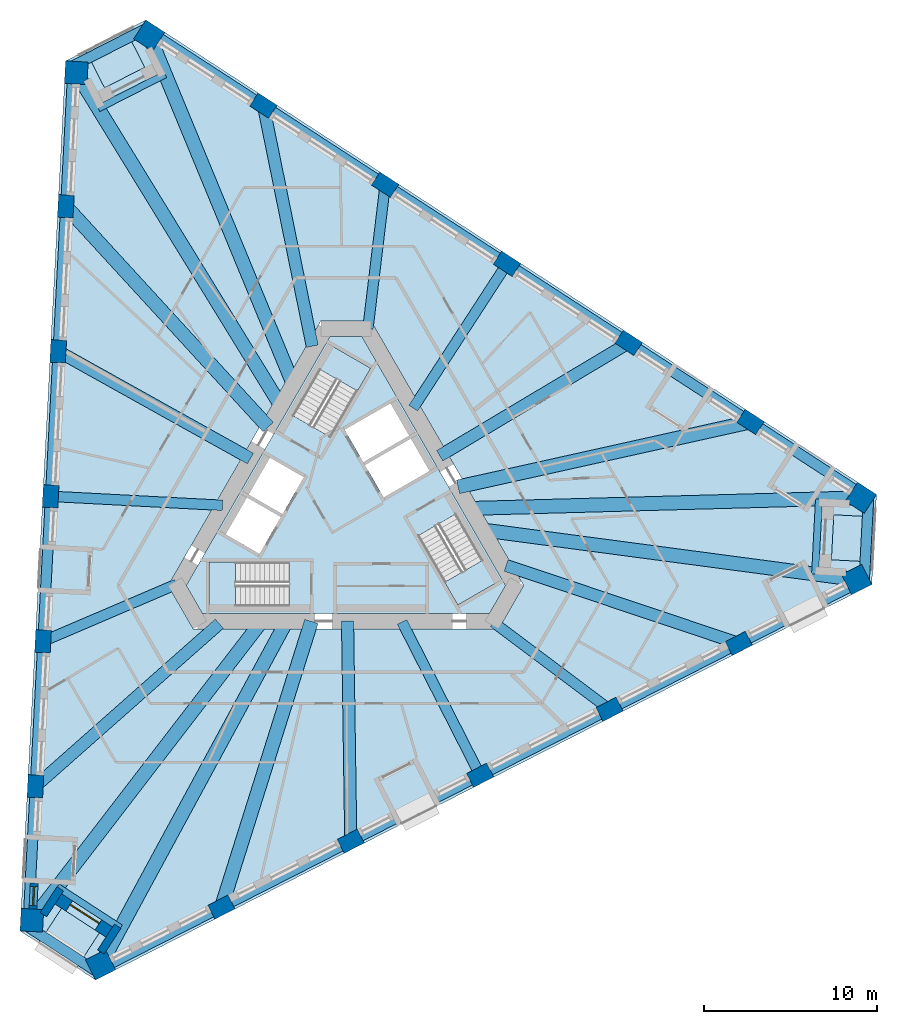
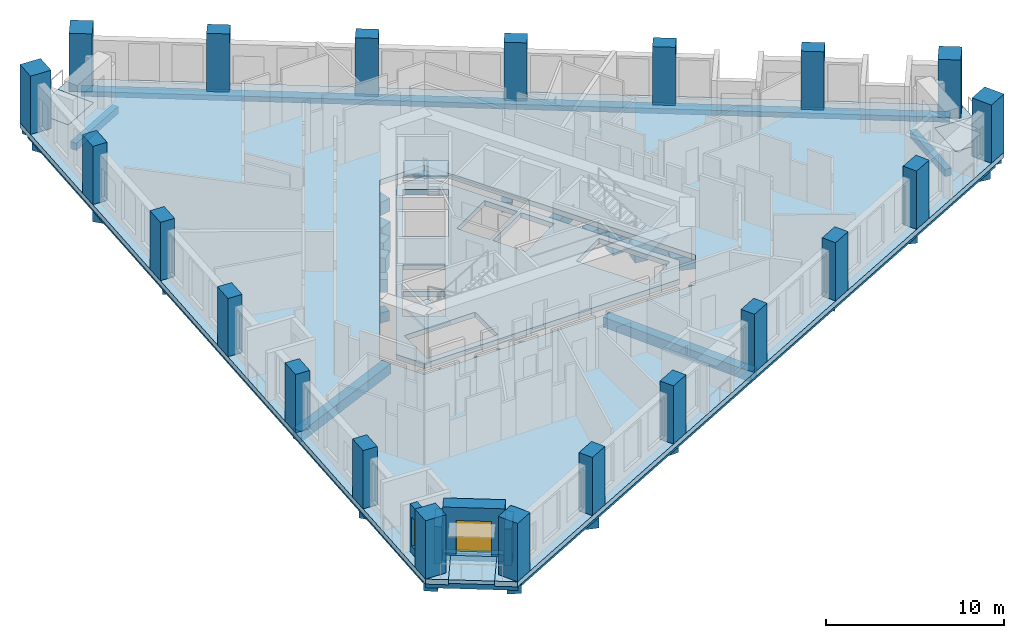
# One storey, part 1 of 13: 30 beams, 21 columns, 8 slabs, 4 walls, 1 door, 1 window, 2 openings, 3 elements without a shape of their own.
"""IFC4 building model written with IfcOpenShell, lengths in metres."""

from ifc_helpers import new_model, si_unit, direction, frame, frame_2d, origin, origin_2d, place, context, subcontext, project, spatial, polyline, rectangle, outline, extrude, material, layer, layer_set, material_profile, profile_set, type_object, element, fill, aggregate, save


model = new_model("IFC4")

# Units and contexts
model_context = context("Model", 3, precision=1e-05, world=origin(), true_north=direction((0.0, 1.0)))
body_context = subcontext(model_context, "Body", "Model", "MODEL_VIEW")
ifc_project = project(units=[si_unit("LENGTHUNIT", "METRE"), si_unit("AREAUNIT", "SQUARE_METRE"), si_unit("VOLUMEUNIT", "CUBIC_METRE"), si_unit("PLANEANGLEUNIT", "RADIAN"), si_unit("MASSUNIT", "GRAM", prefix="KILO")], contexts=[model_context])

# Site, building, storey
site_placement = place(None, origin())
site = spatial("IfcSite", under=ifc_project, at=site_placement, CompositionType="ELEMENT")
building_placement = place(site_placement, origin())
building = spatial("IfcBuilding", under=site, at=building_placement, Name="Tramontana Tower", CompositionType="ELEMENT")
storey_placement = place(building_placement, frame((0.0, 0.0, 153.60009765625)))
storey = spatial("IfcBuildingStorey", under=building, at=storey_placement, Name="L35", CompositionType="ELEMENT", Elevation=153.60009765625)

# Columns
ifc_material_1 = material(Name="Concrete 70 MPa", Category="concrete")
ifc_material_profile_1 = material_profile(ifc_material_1, rectangle(XDim=1.300048828125, YDim=1.300048828125, at=origin_2d()), Name="Mega column 1300X1300 70 MPa")
ifc_profile_set_1 = profile_set([ifc_material_profile_1], Name="Concrete 70 MPa")
column_type_1 = type_object("IfcColumnType", Name="Mega column 1300X1300 70 MPa", PredefinedType="COLUMN", material=ifc_profile_set_1)
for number, where, z_axis, x_axis, name in (
    (1, (-15.546630859375, 25.31298828125, 0.0), (0.0, 0.0, 1.0), (-0.052335956243, -0.998629534755, 0.0), "Mega column C3K1 L35"),
    (2, (-18.107177734375, -23.54931640625, 0.0), (0.0, 0.0, 1.0), (-0.052335956243, -0.998629534755, 0.0), "Mega column C3K2 L35"),
    (3, (-14.1484375, -26.1201171875, 0.0), (0.0, 0.0, 1.0), (0.891006524188, 0.45399049974, 0.0), "Mega column C3K3 L35"),
    (4, (29.447998046875, -3.90673828125, 0.0), (0.0, 0.0, 1.0), (0.891006524188, 0.45399049974, 0.0), "Mega column C3K4 L35"),
    (5, (29.695068359375, 0.80712890625, 0.0), (0.0, 0.0, 1.0), (-0.838670567945, 0.544639035015, 0.0), "Mega column C3K5 L35"),
    (6, (-11.340576171875, 27.4560546875, 0.0), (0.0, 0.0, 1.0), (-0.838670567945, 0.544639035015, 0.0), "Mega column C3K6 L35"),
):
    element("IfcColumn", number, at=place(storey_placement, frame(where, z_axis=z_axis, x_axis=x_axis)), inside=storey, type_object=column_type_1, Name=name, PredefinedType="COLUMN", context=body_context, shape_type="SweptSolid", body=[
        extrude(rectangle(XDim=1.300048828125, YDim=1.300048828125, at=origin_2d()), origin(), (0.0, 0.0, 1.0), 4.0),
    ])
ifc_material_2 = material(Name="Concrete 55 MPa", Category="concrete")
ifc_material_profile_2 = material_profile(ifc_material_2, rectangle(XDim=1.300048828125, YDim=0.89990234375, at=origin_2d()), Name="Pier column 1300X900 55 MPa")
ifc_profile_set_2 = profile_set([ifc_material_profile_2], Name="Concrete 55 MPa")
column_type_2 = type_object("IfcColumnType", Name="Pier column 1300X900 55 MPa", PredefinedType="COLUMN", material=ifc_profile_set_2)
for number, where, z_axis, x_axis, name in (
    (7, (-16.150390625, 17.612548828125, 0.0), (0.0, 0.0, 1.0), (-0.052335956243, -0.998629534755, 0.0), "Pier column C3F01 L35"),
    (8, (-16.58837890625, 9.25244140625, 0.0), (0.0, 0.0, 1.0), (-0.052335956243, -0.998629534755, 0.0), "Pier column C3F02 L35"),
    (9, (-17.026611328125, 0.892333984375, 0.0), (0.0, 0.0, 1.0), (-0.052335956243, -0.998629534755, 0.0), "Pier column C3F03 L35"),
    (10, (-17.46484375, -7.4677734375, 0.0), (0.0, 0.0, 1.0), (-0.052335956243, -0.998629534755, 0.0), "Pier column C3F04 L35"),
    (11, (-17.90283203125, -15.827880859375, 0.0), (0.0, 0.0, 1.0), (-0.052335956243, -0.998629534755, 0.0), "Pier column C3F05 L35"),
    (12, (-7.177734375, -22.79296875, 0.0), (0.0, 0.0, 1.0), (0.891006524188, 0.45399049974, 0.0), "Pier column C3F06 L35"),
    (13, (0.281494140625, -18.9921875, 0.0), (0.0, 0.0, 1.0), (0.891006524188, 0.45399049974, 0.0), "Pier column C3F07 L35"),
    (14, (7.740478515625, -15.191650390625, 0.0), (0.0, 0.0, 1.0), (0.891006524188, 0.45399049974, 0.0), "Pier column C3F08 L35"),
    (15, (15.19970703125, -11.39111328125, 0.0), (0.0, 0.0, 1.0), (0.891006524188, 0.45399049974, 0.0), "Pier column C3F09 L35"),
    (16, (22.65869140625, -7.59033203125, 0.0), (0.0, 0.0, 1.0), (0.891006524188, 0.45399049974, 0.0), "Pier column C3F10 L35"),
    (17, (23.328125, 5.180419921875, 0.0), (0.0, 0.0, 1.0), (-0.838670567945, 0.544639035015, 0.0), "Pier column C3F11 L35"),
    (18, (16.30712890625, 9.73974609375, 0.0), (0.0, 0.0, 1.0), (-0.838670567945, 0.544639035015, 0.0), "Pier column C3F12 L35"),
    (19, (9.2861328125, 14.29931640625, 0.0), (0.0, 0.0, 1.0), (-0.838670567945, 0.544639035015, 0.0), "Pier column C3F13 L35"),
    (20, (2.26513671875, 18.85888671875, 0.0), (0.0, 0.0, 1.0), (-0.838670567945, 0.544639035015, 0.0), "Pier column C3F14 L35"),
    (21, (-4.755859375, 23.418212890625, 0.0), (0.0, 0.0, 1.0), (-0.838670567945, 0.544639035015, 0.0), "Pier column C3F15 L35"),
):
    element("IfcColumn", number, at=place(storey_placement, frame(where, z_axis=z_axis, x_axis=x_axis)), inside=storey, type_object=column_type_2, Name=name, PredefinedType="COLUMN", context=body_context, shape_type="SweptSolid", body=[
        extrude(rectangle(XDim=1.300048828125, YDim=0.89990234375, at=origin_2d()), origin(), (0.0, 0.0, 1.0), 4.0),
    ])

# Beams
ifc_material_3 = material(Name="Concrete 40 MPa", Category="concrete")
ifc_material_profile_3 = material_profile(ifc_material_3, rectangle(XDim=0.60009765625, YDim=0.35009765625, at=origin_2d()), Name="RC EDGE BEAM 600X350 40 MPa")
ifc_profile_set_3 = profile_set([ifc_material_profile_3], Name="Concrete 40 MPa")
beam_type_1 = type_object("IfcBeamType", Name="RC EDGE BEAM 600X350 40 MPa", PredefinedType="SPANDREL", material=ifc_profile_set_3)
for number, where, z_axis, x_axis, name in (
    (22, (-15.74609375, 25.323486328125, -0.525146484375), (-0.052336488944, -0.998629506837, 0.0), (0.998629506837, -0.052336488944, 0.0), "Spandrel beam S0 L35"),
    (23, (-14.0576171875, -26.29833984375, -0.525146484375), (0.89100747088, 0.453988641748, 0.0), (-0.453988641748, 0.89100747088, 0.0), "Spandrel beam S1 L35"),
    (24, (29.803955078125, 0.974853515625, -0.525146484375), (-0.838669945923, 0.544639992844, 0.0), (-0.544639992844, -0.838669945923, 0.0), "Spandrel beam S2 L35"),
):
    element("IfcBeam", number, at=place(storey_placement, frame(where, z_axis=z_axis, x_axis=x_axis)), inside=storey, type_object=beam_type_1, Name=name, PredefinedType="SPANDREL", context=body_context, shape_type="SweptSolid", body=[
        extrude(rectangle(XDim=0.60009765625, YDim=0.35009765625, at=origin_2d()), origin(), (0.0, 0.0, 1.0), 48.929443359375),
    ])
for number, where, z_axis, x_axis, name in (
    (25, (-11.327392578125, 27.9541015625, -0.525146484375), (-0.891018699398, -0.453966603753, 0.0), (0.453966603753, -0.891018699398, 0.0), "Spandrel beam K0 L35"),
    (26, (-18.54541015625, -23.787109375, -0.525146484375), (0.838668969916, -0.544641495757, 0.0), (0.544641495757, 0.838668969916, 0.0), "Spandrel beam K1 L35"),
):
    element("IfcBeam", number, at=place(storey_placement, frame(where, z_axis=z_axis, x_axis=x_axis)), inside=storey, type_object=beam_type_1, Name=name, PredefinedType="SPANDREL", context=body_context, shape_type="SweptSolid", body=[
        extrude(rectangle(XDim=0.60009765625, YDim=0.35009765625, at=origin_2d()), origin(), (0.0, 0.0, 1.0), 5.1962890625),
    ])
beam_1_placement = place(storey_placement, frame((29.872802734375, -4.167236328125, -0.525146484375), z_axis=(0.052341816109, 0.998629227635, 0.0), x_axis=(-0.998629227635, 0.052341816109, 0.0)))
element("IfcBeam", 27, at=beam_1_placement, inside=storey, type_object=beam_type_1, Name="Spandrel beam K2 L35", PredefinedType="SPANDREL", context=body_context, shape_type="SweptSolid", body=[
    extrude(rectangle(XDim=0.60009765625, YDim=0.35009765625, at=origin_2d()), origin(), (0.0, 0.0, 1.0), 5.196044921875),
])
ifc_material_4 = material(Name="Concrete 40 MPa", Category="concrete")
ifc_material_profile_4 = material_profile(ifc_material_4, rectangle(XDim=0.60009765625, YDim=0.699951171875, at=origin_2d()), Name="RC GIRDER 600X700 40 MPa")
ifc_profile_set_4 = profile_set([ifc_material_profile_4], Name="Concrete 40 MPa")
beam_type_2 = type_object("IfcBeamType", Name="RC GIRDER 600X700 40 MPa", PredefinedType="BEAM", material=ifc_profile_set_4)
beam_2_placement = place(storey_placement, frame((-17.026611328125, 0.892333984375, -0.7001953125), z_axis=(0.998628816447, -0.052349660575, 0.0), x_axis=(0.052349660575, 0.998628816447, 0.0)))
element("IfcBeam", 28, at=beam_2_placement, inside=storey, type_object=beam_type_2, Name="Radial girder C3F03 L35", PredefinedType="BEAM", context=body_context, shape_type="SweptSolid", body=[
    extrude(rectangle(XDim=0.60009765625, YDim=0.699951171875, at=origin_2d()), origin(), (0.0, 0.0, 1.0), 9.92431640625),
])
beam_3_placement = place(storey_placement, frame((-17.46484375, -7.4677734375, -0.7001953125), z_axis=(0.919473795441, 0.393151293394, 0.0), x_axis=(-0.393151293394, 0.919473795441, 0.0)))
element("IfcBeam", 29, at=beam_3_placement, inside=storey, type_object=beam_type_2, Name="Radial girder C3F04 L35", PredefinedType="BEAM", context=body_context, shape_type="SweptSolid", body=[
    extrude(rectangle(XDim=0.60009765625, YDim=0.699951171875, at=origin_2d()), origin(), (0.0, 0.0, 1.0), 8.365234375),
])
beam_4_placement = place(storey_placement, frame((7.740478515625, -15.191650390625, -0.7001953125), z_axis=(-0.453980690523, 0.891011522166, 0.0), x_axis=(-0.891011522166, -0.453980690523, 0.0)))
element("IfcBeam", 30, at=beam_4_placement, inside=storey, type_object=beam_type_2, Name="Radial girder C3F08 L35", PredefinedType="BEAM", context=body_context, shape_type="SweptSolid", body=[
    extrude(rectangle(XDim=0.60009765625, YDim=0.699951171875, at=origin_2d()), origin(), (0.0, 0.0, 1.0), 9.924072265625),
])
beam_5_placement = place(storey_placement, frame((15.19970703125, -11.39111328125, -0.7001953125), z_axis=(-0.800213580839, 0.599715119904, 0.0), x_axis=(-0.599715119904, -0.800213580839, 0.0)))
element("IfcBeam", 31, at=beam_5_placement, inside=storey, type_object=beam_type_2, Name="Radial girder C3F09 L35", PredefinedType="BEAM", context=body_context, shape_type="SweptSolid", body=[
    extrude(rectangle(XDim=0.60009765625, YDim=0.699951171875, at=origin_2d()), origin(), (0.0, 0.0, 1.0), 8.365478515625),
])
beam_6_placement = place(storey_placement, frame((9.2861328125, 14.29931640625, -0.7001953125), z_axis=(-0.54464589271, -0.838666114466, 0.0), x_axis=(0.838666114466, -0.54464589271, 0.0)))
element("IfcBeam", 32, at=beam_6_placement, inside=storey, type_object=beam_type_2, Name="Radial girder C3F13 L35", PredefinedType="BEAM", context=body_context, shape_type="SweptSolid", body=[
    extrude(rectangle(XDim=0.60009765625, YDim=0.699951171875, at=origin_2d()), origin(), (0.0, 0.0, 1.0), 9.92431640625),
])
beam_7_placement = place(storey_placement, frame((2.26513671875, 18.85888671875, -0.7001953125), z_axis=(-0.119248793527, -0.992864404258, 0.0), x_axis=(0.992864404258, -0.119248793527, 0.0)))
element("IfcBeam", 33, at=beam_7_placement, inside=storey, type_object=beam_type_2, Name="Radial girder C3F14 L35", PredefinedType="BEAM", context=body_context, shape_type="SweptSolid", body=[
    extrude(rectangle(XDim=0.60009765625, YDim=0.699951171875, at=origin_2d()), origin(), (0.0, 0.0, 1.0), 8.365234375),
])
ifc_material_5 = material(Name="Concrete 40 MPa", Category="concrete")
ifc_material_profile_5 = material_profile(ifc_material_5, rectangle(XDim=0.699951171875, YDim=0.89990234375, at=origin_2d()), Name="RC GIRDER 700X900 40 MPa")
ifc_profile_set_5 = profile_set([ifc_material_profile_5], Name="Concrete 40 MPa")
beam_type_3 = type_object("IfcBeamType", Name="RC GIRDER 700X900 40 MPa", PredefinedType="BEAM", material=ifc_profile_set_5)
beam_8_placement = place(storey_placement, frame((-16.58837890625, 9.25244140625, -0.800048828125), z_axis=(0.873332247198, -0.487125020917, 0.0), x_axis=(0.487125020917, 0.873332247198, 0.0)))
element("IfcBeam", 34, at=beam_8_placement, inside=storey, type_object=beam_type_3, Name="Radial girder C3F02 L35", PredefinedType="BEAM", context=body_context, shape_type="SweptSolid", body=[
    extrude(rectangle(XDim=0.699951171875, YDim=0.89990234375, at=origin_2d()), origin(), (0.0, 0.0, 1.0), 12.693603515625),
])
beam_9_placement = place(storey_placement, frame((-17.90283203125, -15.827880859375, -0.800048828125), z_axis=(0.74918417634, 0.662361736456, 0.0), x_axis=(-0.662361736456, 0.74918417634, 0.0)))
element("IfcBeam", 35, at=beam_9_placement, inside=storey, type_object=beam_type_3, Name="Radial girder C3F05 L35", PredefinedType="BEAM", context=body_context, shape_type="SweptSolid", body=[
    extrude(rectangle(XDim=0.699951171875, YDim=0.89990234375, at=origin_2d()), origin(), (0.0, 0.0, 1.0), 14.1552734375),
])
beam_10_placement = place(storey_placement, frame((0.281494140625, -18.9921875, -0.800048828125), z_axis=(-0.014829000023, 0.999890044334, 0.0), x_axis=(-0.999890044334, -0.014829000023, 0.0)))
element("IfcBeam", 36, at=beam_10_placement, inside=storey, type_object=beam_type_3, Name="Radial girder C3F07 L35", PredefinedType="BEAM", context=body_context, shape_type="SweptSolid", body=[
    extrude(rectangle(XDim=0.699951171875, YDim=0.89990234375, at=origin_2d()), origin(), (0.0, 0.0, 1.0), 12.693603515625),
])
beam_11_placement = place(storey_placement, frame((22.65869140625, -7.59033203125, -0.800048828125), z_axis=(-0.948211400457, 0.317639953476, 0.0), x_axis=(-0.317639953476, -0.948211400457, 0.0)))
element("IfcBeam", 37, at=beam_11_placement, inside=storey, type_object=beam_type_3, Name="Radial girder C3F10 L35", PredefinedType="BEAM", context=body_context, shape_type="SweptSolid", body=[
    extrude(rectangle(XDim=0.699951171875, YDim=0.89990234375, at=origin_2d()), origin(), (0.0, 0.0, 1.0), 14.155517578125),
])
beam_12_placement = place(storey_placement, frame((16.30712890625, 9.73974609375, -0.800048828125), z_axis=(-0.858533155932, -0.512758052268, 0.0), x_axis=(0.512758052268, -0.858533155932, 0.0)))
element("IfcBeam", 38, at=beam_12_placement, inside=storey, type_object=beam_type_3, Name="Radial girder C3F12 L35", PredefinedType="BEAM", context=body_context, shape_type="SweptSolid", body=[
    extrude(rectangle(XDim=0.699951171875, YDim=0.89990234375, at=origin_2d()), origin(), (0.0, 0.0, 1.0), 12.693603515625),
])
beam_13_placement = place(storey_placement, frame((-4.755859375, 23.418212890625, -0.800048828125), z_axis=(0.199014115168, -0.979996623445, 0.0), x_axis=(0.979996623445, 0.199014115168, 0.0)))
element("IfcBeam", 39, at=beam_13_placement, inside=storey, type_object=beam_type_3, Name="Radial girder C3F15 L35", PredefinedType="BEAM", context=body_context, shape_type="SweptSolid", body=[
    extrude(rectangle(XDim=0.699951171875, YDim=0.89990234375, at=origin_2d()), origin(), (0.0, 0.0, 1.0), 14.155517578125),
])
ifc_material_6 = material(Name="Concrete 40 MPa", Category="concrete")
ifc_material_profile_6 = material_profile(ifc_material_6, rectangle(XDim=0.800048828125, YDim=1.10009765625, at=origin_2d()), Name="RC GIRDER 800X1100 40 MPa")
ifc_profile_set_6 = profile_set([ifc_material_profile_6], Name="Concrete 40 MPa")
beam_type_4 = type_object("IfcBeamType", Name="RC GIRDER 800X1100 40 MPa", PredefinedType="BEAM", material=ifc_profile_set_6)
beam_14_placement = place(storey_placement, frame((-15.54638671875, 25.31298828125, -0.900146484375), z_axis=(0.523345221795, -0.852120753664, 0.0), x_axis=(0.852120753664, 0.523345221795, 0.0)))
element("IfcBeam", 40, at=beam_14_placement, inside=storey, type_object=beam_type_4, Name="Radial girder C3K1 L35", PredefinedType="BEAM", context=body_context, shape_type="SweptSolid", body=[
    extrude(rectangle(XDim=0.800048828125, YDim=1.10009765625, at=origin_2d()), origin(), (0.0, 0.0, 1.0), 22.479248046875),
])
beam_15_placement = place(storey_placement, frame((-16.150390625, 17.612548828125, -0.900146484375), z_axis=(0.675852012308, -0.737037351469, 0.0), x_axis=(0.737037351469, 0.675852012308, 0.0)))
element("IfcBeam", 41, at=beam_15_placement, inside=storey, type_object=beam_type_4, Name="Radial girder C3F01 L35", PredefinedType="BEAM", context=body_context, shape_type="SweptSolid", body=[
    extrude(rectangle(XDim=0.800048828125, YDim=1.10009765625, at=origin_2d()), origin(), (0.0, 0.0, 1.0), 17.26953125),
])
beam_16_placement = place(storey_placement, frame((-18.107421875, -23.54931640625, -0.900146484375), z_axis=(0.609557551485, 0.792741818896, 0.0), x_axis=(-0.792741818896, 0.609557551485, 0.0)))
element("IfcBeam", 42, at=beam_16_placement, inside=storey, type_object=beam_type_4, Name="Radial girder C3K2 L35", PredefinedType="BEAM", context=body_context, shape_type="SweptSolid", body=[
    extrude(rectangle(XDim=0.800048828125, YDim=1.10009765625, at=origin_2d()), origin(), (0.0, 0.0, 1.0), 21.641357421875),
])
beam_17_placement = place(storey_placement, frame((-14.1484375, -26.1201171875, -0.900146484375), z_axis=(0.476284198163, 0.879291397991, 0.0), x_axis=(-0.879291397991, 0.476284198163, 0.0)))
element("IfcBeam", 43, at=beam_17_placement, inside=storey, type_object=beam_type_4, Name="Radial girder C3K3 L35", PredefinedType="BEAM", context=body_context, shape_type="SweptSolid", body=[
    extrude(rectangle(XDim=0.800048828125, YDim=1.10009765625, at=origin_2d()), origin(), (0.0, 0.0, 1.0), 22.479248046875),
])
beam_18_placement = place(storey_placement, frame((-7.177734375, -22.79296875, -0.900146484375), z_axis=(0.300368764095, 0.953823152139, 0.0), x_axis=(-0.953823152139, 0.300368764095, 0.0)))
element("IfcBeam", 44, at=beam_18_placement, inside=storey, type_object=beam_type_4, Name="Radial girder C3F06 L35", PredefinedType="BEAM", context=body_context, shape_type="SweptSolid", body=[
    extrude(rectangle(XDim=0.800048828125, YDim=1.10009765625, at=origin_2d()), origin(), (0.0, 0.0, 1.0), 17.26953125),
])
beam_19_placement = place(storey_placement, frame((29.447998046875, -3.90673828125, -0.900146484375), z_axis=(-0.991313997986, 0.131516376914, 0.0), x_axis=(-0.131516376914, -0.991313997986, 0.0)))
element("IfcBeam", 45, at=beam_19_placement, inside=storey, type_object=beam_type_4, Name="Radial girder C3K4 L35", PredefinedType="BEAM", context=body_context, shape_type="SweptSolid", body=[
    extrude(rectangle(XDim=0.800048828125, YDim=1.10009765625, at=origin_2d()), origin(), (0.0, 0.0, 1.0), 21.641357421875),
])
beam_20_placement = place(storey_placement, frame((29.695068359375, 0.80712890625, -0.900146484375), z_axis=(-0.999630732276, -0.027173499768, 0.0), x_axis=(0.027173499768, -0.999630732276, 0.0)))
element("IfcBeam", 46, at=beam_20_placement, inside=storey, type_object=beam_type_4, Name="Radial girder C3K5 L35", PredefinedType="BEAM", context=body_context, shape_type="SweptSolid", body=[
    extrude(rectangle(XDim=0.800048828125, YDim=1.10009765625, at=origin_2d()), origin(), (0.0, 0.0, 1.0), 22.479248046875),
])
beam_21_placement = place(storey_placement, frame((23.328125, 5.180419921875, -0.900146484375), z_axis=(-0.976217985391, -0.216791247516, 0.0), x_axis=(0.216791247516, -0.976217985391, 0.0)))
element("IfcBeam", 47, at=beam_21_placement, inside=storey, type_object=beam_type_4, Name="Radial girder C3F11 L35", PredefinedType="BEAM", context=body_context, shape_type="SweptSolid", body=[
    extrude(rectangle(XDim=0.800048828125, YDim=1.10009765625, at=origin_2d()), origin(), (0.0, 0.0, 1.0), 17.26953125),
])
beam_22_placement = place(storey_placement, frame((-11.3408203125, 27.4560546875, -0.900146484375), z_axis=(0.381767486968, -0.924258397795, 0.0), x_axis=(0.924258397795, 0.381767486968, 0.0)))
element("IfcBeam", 48, at=beam_22_placement, inside=storey, type_object=beam_type_4, Name="Radial girder C3K6 L35", PredefinedType="BEAM", context=body_context, shape_type="SweptSolid", body=[
    extrude(rectangle(XDim=0.800048828125, YDim=1.10009765625, at=origin_2d()), origin(), (0.0, 0.0, 1.0), 21.641357421875),
])
ifc_material_7 = material(Name="Concrete 40 MPa", Category="concrete")
ifc_material_profile_7 = material_profile(ifc_material_7, rectangle(XDim=0.39990234375, YDim=0.5, at=origin_2d()), Name="RC TRIM BEAM 400X500 40 MPa")
ifc_profile_set_7 = profile_set([ifc_material_profile_7], Name="Concrete 40 MPa")
beam_type_5 = type_object("IfcBeamType", Name="RC TRIM BEAM 400X500 40 MPa", PredefinedType="JOIST", material=ifc_profile_set_7)
for number, where, z_axis, x_axis, name in (
    (49, (-10.4169921875, 25.219482421875, -0.60009765625), (-0.891023167183, -0.453957834544, 0.0), (0.453957834544, -0.891023167183, 0.0), "Trimmer beam K0 L35"),
    (50, (-16.63232421875, -21.631103515625, -0.60009765625), (0.838651964019, -0.544667681479, 0.0), (0.544667681479, 0.838651964019, 0.0), "Trimmer beam K1 L35"),
    (51, (27.04931640625, -3.58837890625, -0.60009765625), (0.052310576439, 0.99863086453, 0.0), (-0.99863086453, 0.052310576439, 0.0), "Trimmer beam K2 L35"),
):
    element("IfcBeam", number, at=place(storey_placement, frame(where, z_axis=z_axis, x_axis=x_axis)), inside=storey, type_object=beam_type_5, Name=name, PredefinedType="JOIST", context=body_context, shape_type="SweptSolid", body=[
        extrude(rectangle(XDim=0.39990234375, YDim=0.5, at=origin_2d()), origin(), (0.0, 0.0, 1.0), 4.335693359375),
    ])

# Slabs
ifc_material_8 = material(Name="Precast concrete 50 MPa", Category="concrete")
ifc_layer_1 = layer(ifc_material_8, 0.25)
ifc_layer_set_1 = layer_set([ifc_layer_1], Name="LT1 Loggia floor tray 250")
slab_type_1 = type_object("IfcSlabType", Name="LT1 Loggia floor tray 250", PredefinedType="FLOOR", material=ifc_layer_set_1)
slab_1_placement = place(storey_placement, frame((0.0, 0.0, -0.25)))
element("IfcSlab", 52, at=slab_1_placement, inside=storey, type_object=slab_type_1, Name="Corner loggia floor L35 K30", PredefinedType="FLOOR", context=body_context, shape_type="SweptSolid", body=[
    extrude(outline(polyline([(-12.6884765625, 27.765869140625), (-11.598876953125, 25.62744140625), (-13.91552734375, 24.447021484375), (-15.005126953125, 26.58544921875), (-12.6884765625, 27.765869140625)])), origin(), (0.0, 0.0, 1.0), 0.25),
])
slab_2_placement = place(storey_placement, frame((0.0, 0.0, -0.25)))
element("IfcSlab", 53, at=slab_2_placement, inside=storey, type_object=slab_type_1, Name="Corner loggia floor L35 K31", PredefinedType="FLOOR", context=body_context, shape_type="SweptSolid", body=[
    extrude(outline(polyline([(-17.70166015625, -24.871337890625), (-16.39453125, -22.858642578125), (-14.214111328125, -24.274658203125), (-15.521240234375, -26.28759765625), (-17.70166015625, -24.871337890625)])), origin(), (0.0, 0.0, 1.0), 0.25),
])
slab_3_placement = place(storey_placement, frame((0.0, 0.0, -0.25)))
element("IfcSlab", 54, at=slab_3_placement, inside=storey, type_object=slab_type_1, Name="Corner loggia floor L35 K32", PredefinedType="FLOOR", context=body_context, shape_type="SweptSolid", body=[
    extrude(outline(polyline([(30.39013671875, -2.89453125), (27.993408203125, -2.768798828125), (28.129638671875, -0.17236328125), (30.526123046875, -0.298095703125), (30.39013671875, -2.89453125)])), origin(), (0.0, 0.0, 1.0), 0.25),
])
ifc_material_9 = material(Name="Concrete 40 MPa", Category="concrete")
ifc_layer_2 = layer(ifc_material_9, 0.35009765625)
ifc_layer_set_2 = layer_set([ifc_layer_2], Name="PT FLAT SLAB 350 40 MPa")
slab_type_2 = type_object("IfcSlabType", Name="PT FLAT SLAB 350 40 MPa", PredefinedType="FLOOR", material=ifc_layer_set_2)
slab_4_placement = place(storey_placement, frame((0.0, 0.0, -0.35009765625)))
element("IfcSlab", 55, at=slab_4_placement, inside=storey, type_object=slab_type_2, Name="Floor slab L35", PredefinedType="FLOOR", context=body_context, shape_type="SweptSolid", body=[
    extrude(outline(polyline([(30.526123046875, -0.298095703125), (28.12939453125, -0.17236328125), (27.993408203125, -2.768798828125), (30.39013671875, -2.89453125), (30.322265625, -4.19091796875), (-14.4326171875, -26.994384765625), (-15.521240234375, -26.28759765625), (-14.214111328125, -24.274658203125), (-16.39453125, -22.858642578125), (-17.701904296875, -24.871337890625), (-18.790283203125, -24.164306640625), (-16.16162109375, 25.99609375), (-15.0048828125, 26.58544921875), (-13.915283203125, 24.447021484375), (-11.598876953125, 25.62744140625), (-12.6884765625, 27.765869140625), (-11.53173828125, 28.355224609375), (30.59423828125, 0.998291015625), (30.526123046875, -0.298095703125)]), holes=[polyline([(-10.248046875, -4.25), (-8.8046875, -6.75), (8.8046875, -6.75), (10.248046875, -4.25), (1.443359375, 11.0), (-1.443359375, 11.0), (-10.248046875, -4.25)])]), origin(), (0.0, 0.0, 1.0), 0.35009765625),
])
slab_5_placement = place(storey_placement, frame((0.0, 0.0, -0.35009765625)))
element("IfcSlab", 56, at=slab_5_placement, inside=storey, type_object=slab_type_2, Name="Core floor slab L35", PredefinedType="FLOOR", context=body_context, shape_type="SweptSolid", body=[
    extrude(outline(polyline([(9.208740234375, -4.25), (8.284912109375, -5.85009765625), (-8.284912109375, -5.85009765625), (-9.208740234375, -4.25), (-0.923828125, 10.10009765625), (0.923828125, 10.10009765625), (9.208740234375, -4.25)]), holes=[polyline([(8.659912109375, -4.099365234375), (6.35986328125, -0.115478515625), (4.151611328125, -1.390625), (6.451416015625, -5.374267578125), (8.659912109375, -4.099365234375)]), polyline([(3.829833984375, 4.2666015625), (1.101806640625, 2.69140625), (2.177001953125, 0.82958984375), (4.90478515625, 2.404541015625), (3.829833984375, 4.2666015625)]), polyline([(2.65478515625, 6.3017578125), (-0.072998046875, 4.726806640625), (1.001953125, 2.86474609375), (3.729736328125, 4.439697265625), (2.65478515625, 6.3017578125)]), polyline([(-0.77978515625, 9.54931640625), (-3.079833984375, 5.565673828125), (-0.87158203125, 4.29052734375), (1.428466796875, 8.2744140625), (-0.77978515625, 9.54931640625)]), polyline([(-5.689697265625, 1.044921875), (-3.65478515625, -0.130126953125), (-2.4296875, 1.99169921875), (-4.46484375, 3.166748046875), (-5.689697265625, 1.044921875)]), polyline([(-3.280029296875, -5.449951171875), (-3.280029296875, -2.89990234375), (-7.8798828125, -2.89990234375), (-7.8798828125, -5.449951171875), (-3.280029296875, -5.449951171875)]), polyline([(-7.014892578125, -1.25), (-4.979736328125, -2.425048828125), (-3.754638671875, -0.30322265625), (-5.789794921875, 0.87158203125), (-7.014892578125, -1.25)])]), origin(), (0.0, 0.0, 1.0), 0.35009765625),
])

# Stair, slab
ifc_material_10 = material(Name="Concrete 40 MPa", Category="concrete")
stair_type = type_object("IfcStairType", Name="EXIT STAIR 24 RISERS", PredefinedType="HALF_TURN_STAIR", material=ifc_material_10)
stair_1_placement = place(storey_placement, origin())
stair_1 = element("IfcStair", 57, at=stair_1_placement, inside=storey, type_object=stair_type, Name="L35 Exit stair ST1", PredefinedType="HALF_TURN_STAIR")
ifc_material_11 = material(Name="Concrete 40 MPa", Category="concrete")
ifc_layer_3 = layer(ifc_material_11, 0.199951171875)
ifc_layer_set_3 = layer_set([ifc_layer_3], Name="STAIR LANDING 200")
slab_type_3 = type_object("IfcSlabType", Name="STAIR LANDING 200", PredefinedType="LANDING", material=ifc_layer_set_3)
slab_6_placement = place(storey_placement, frame((0.0, 0.0, 1.7998046875)))
slab_6 = element("IfcSlab", 58, at=slab_6_placement, type_object=slab_type_3, Name="ST1 landing 1", PredefinedType="LANDING", context=body_context, shape_type="SweptSolid", body=[
    extrude(outline(polyline([(0.66845703125, 6.9580078125), (1.428466796875, 8.274169921875), (-0.77978515625, 9.54931640625), (-1.539794921875, 8.23291015625), (0.66845703125, 6.9580078125)])), origin(), (0.0, 0.0, 1.0), 0.2001953125),
])
aggregate(stair_1, [slab_6])

stair_2_placement = place(storey_placement, origin())
stair_2 = element("IfcStair", 59, at=stair_2_placement, inside=storey, type_object=stair_type, Name="L35 Exit stair ST2", PredefinedType="HALF_TURN_STAIR")
slab_7_placement = place(storey_placement, frame((0.0, 0.0, 1.7998046875)))
slab_7 = element("IfcSlab", 60, at=slab_7_placement, type_object=slab_type_3, Name="ST2 landing 1", PredefinedType="LANDING", context=body_context, shape_type="SweptSolid", body=[
    extrude(outline(polyline([(-6.360107421875, -2.89990234375), (-7.8798828125, -2.89990234375), (-7.8798828125, -5.449951171875), (-6.360107421875, -5.449951171875), (-6.360107421875, -2.89990234375)])), origin(), (0.0, 0.0, 1.0), 0.2001953125),
])
aggregate(stair_2, [slab_7])

stair_3_placement = place(storey_placement, origin())
stair_3 = element("IfcStair", 61, at=stair_3_placement, inside=storey, type_object=stair_type, Name="L35 Exit stair ST3", PredefinedType="HALF_TURN_STAIR")
slab_8_placement = place(storey_placement, frame((0.0, 0.0, 1.7998046875)))
slab_8 = element("IfcSlab", 62, at=slab_8_placement, type_object=slab_type_3, Name="ST3 landing 1", PredefinedType="LANDING", context=body_context, shape_type="SweptSolid", body=[
    extrude(outline(polyline([(5.69140625, -4.057861328125), (6.451416015625, -5.374267578125), (8.659912109375, -4.099365234375), (7.89990234375, -2.782958984375), (5.69140625, -4.057861328125)])), origin(), (0.0, 0.0, 1.0), 0.2001953125),
])
aggregate(stair_3, [slab_8])

# Wall, opening, window
ifc_material_12 = material(Name="Precast concrete 60 MPa", Category="concrete")
ifc_layer_4 = layer(ifc_material_12, 0.449951171875)
ifc_layer_set_4 = layer_set([ifc_layer_4], Name="Precast concrete 60 MPa, 450 mm")
wall_type_1 = type_object("IfcWallType", Name="EW1 Stone-faced precast wall 450", PredefinedType="SOLIDWALL", material=ifc_layer_set_4)
wall_1_placement = place(storey_placement, frame((-17.97021484375, -21.4130859375, 0.0), z_axis=(0.0, 0.0, 1.0), x_axis=(-0.052412688754, -0.998625510418, 0.0)))
wall_1 = element("IfcWall", 63, at=wall_1_placement, inside=storey, type_object=wall_type_1, Name="External wall L35 face 0 bay 6", PredefinedType="SOLIDWALL", context=body_context, shape_type="SweptSolid", body=[
    extrude(rectangle(XDim=1.490478515625, YDim=0.449951171875, at=frame_2d((0.7451171875, 0.0))), origin(), (0.0, 0.0, 1.0), 3.2998046875),
])
opening_1_placement = place(wall_1_placement, frame((0.1953125, 0.0, 0.5)))
opening_1 = element("IfcOpeningElement", 64, at=opening_1_placement, cuts=wall_1, Name="Opening N2L", PredefinedType="OPENING", context=body_context, shape_type="SweptSolid", body=[
    extrude(rectangle(XDim=1.10009765625, YDim=2.0, at=frame_2d((0.550048828125, 1.0))), frame((0.0, 0.23486328125, 0.0), z_axis=(0.0, -1.0, 0.0), x_axis=(1.0, 0.0, 0.0)), (0.0, 0.0, 1.0), 0.469970703125),
])
ifc_material_13 = material(Name="Aluminum frame, double glazing unit", Category="aluminium")
window_type = type_object("IfcWindowType", Name="N2L Window 1.1 x 2", PartitioningType="SINGLE_PANEL", PredefinedType="WINDOW", material=ifc_material_13)
window_placement = place(opening_1_placement, origin())
window = element("IfcWindow", 65, at=window_placement, inside=storey, type_object=window_type, Name="Window N2L L35 face 0 module 18", OverallHeight=2.0, OverallWidth=1.10009765625, PartitioningType="SINGLE_PANEL", PredefinedType="WINDOW", context=body_context, shape_type="SweptSolid", body=[
    extrude(rectangle(XDim=1.10009765625, YDim=2.0, at=frame_2d((0.550048828125, 1.0))), frame((0.0, 0.030029296875, 0.0), z_axis=(0.0, -1.0, 0.0), x_axis=(1.0, 0.0, 0.0)), (0.0, 0.0, 1.0), 0.06005859375),
])
fill(opening_1, window)

# Walls
for number, where, z_axis, x_axis, name in (
    (66, (-14.126708984375, -25.379638671875, 0.0), (0.0, 0.0, 1.0), (0.544621738408, 0.83868180024, 0.0), "Corner loggia side wall L35 K31l"),
    (67, (-17.439697265625, -23.228271484375, 0.0), (0.0, 0.0, 1.0), (0.544718245588, 0.838619122679, 0.0), "Corner loggia side wall L35 K31r"),
):
    element("IfcWall", number, at=place(storey_placement, frame(where, z_axis=z_axis, x_axis=x_axis)), inside=storey, type_object=wall_type_1, Name=name, PredefinedType="SOLIDWALL", context=body_context, shape_type="SweptSolid", body=[
        extrude(rectangle(XDim=1.779296875, YDim=0.449951171875, at=frame_2d((0.8896484375, 0.0))), origin(), (0.0, 0.0, 1.0), 2.5498046875),
    ])

# Wall, opening, door
ifc_material_14 = material(Name="Precast concrete 60 MPa", Category="concrete")
ifc_layer_5 = layer(ifc_material_14, 0.89990234375)
ifc_layer_set_5 = layer_set([ifc_layer_5], Name="EW2 Stone-faced corner loggia wall 900")
wall_type_2 = type_object("IfcWallType", Name="EW2 Stone-faced corner loggia wall 900", PredefinedType="SOLIDWALL", material=ifc_layer_set_5)
wall_2_placement = place(storey_placement, frame((-13.591552734375, -24.142333984375, 0.0), z_axis=(0.0, 0.0, 1.0), x_axis=(-0.838665071449, 0.544647498784, 0.0)))
wall_2 = element("IfcWall", 68, at=wall_2_placement, inside=storey, type_object=wall_type_2, Name="Corner loggia wall L35 K31", PredefinedType="SOLIDWALL", context=body_context, shape_type="SweptSolid", body=[
    extrude(rectangle(XDim=3.5, YDim=0.89990234375, at=frame_2d((1.75, 0.0))), origin(), (0.0, 0.0, 1.0), 3.2998046875),
])
opening_2_placement = place(wall_2_placement, frame((0.75, 0.0, 0.0)))
opening_2 = element("IfcOpeningElement", 69, at=opening_2_placement, cuts=wall_2, Name="Opening BD-31C", PredefinedType="OPENING", context=body_context, shape_type="SweptSolid", body=[
    extrude(rectangle(XDim=2.0, YDim=2.39990234375, at=frame_2d((1.0, 1.199951171875))), frame((0.0, 0.4599609375, 0.0), z_axis=(0.0, -1.0, 0.0), x_axis=(1.0, 0.0, 0.0)), (0.0, 0.0, 1.0), 0.919921875),
])
ifc_material_15 = material(Name="Aluminum frame, double glazing unit", Category="aluminium")
door_type = type_object("IfcDoorType", Name="BC1 Sliding door 2 x 2.4", OperationType="SLIDING_TO_LEFT", PredefinedType="DOOR", material=ifc_material_15)
door_placement = place(opening_2_placement, origin())
door = element("IfcDoor", 70, at=door_placement, inside=storey, type_object=door_type, Name="Corner loggia door L35 K31", OperationType="SLIDING_TO_LEFT", OverallHeight=2.39990234375, OverallWidth=2.0, PredefinedType="DOOR", context=body_context, shape_type="SweptSolid", body=[
    extrude(rectangle(XDim=2.0, YDim=2.39990234375, at=frame_2d((1.0, 1.199951171875))), frame((0.0, 0.02490234375, 0.0), z_axis=(0.0, -1.0, 0.0), x_axis=(1.0, 0.0, 0.0)), (0.0, 0.0, 1.0), 0.050048828125),
])
fill(opening_2, door)

save(model, "model.ifc")
